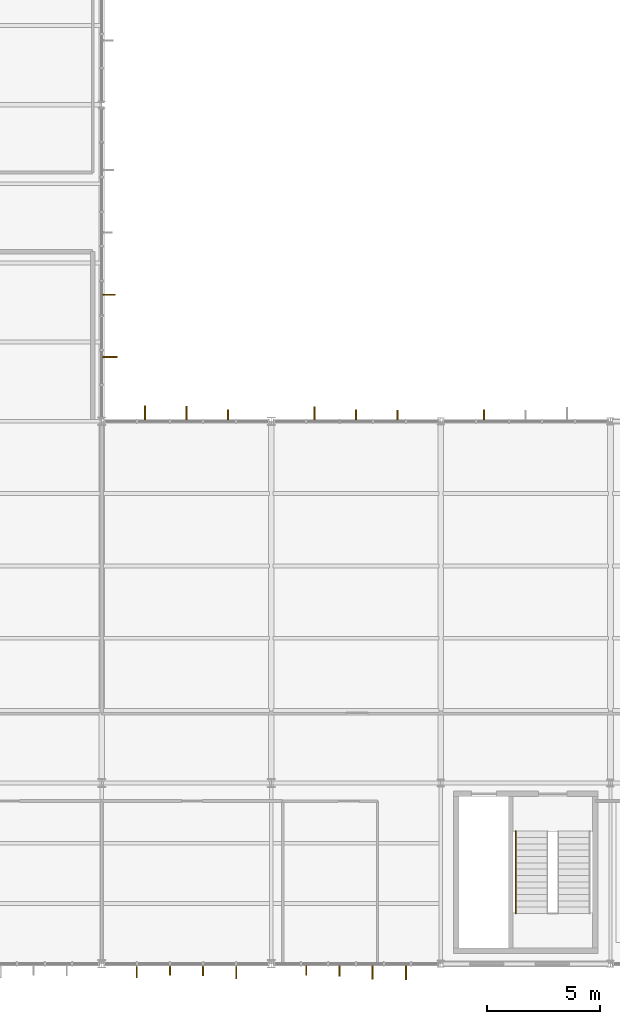
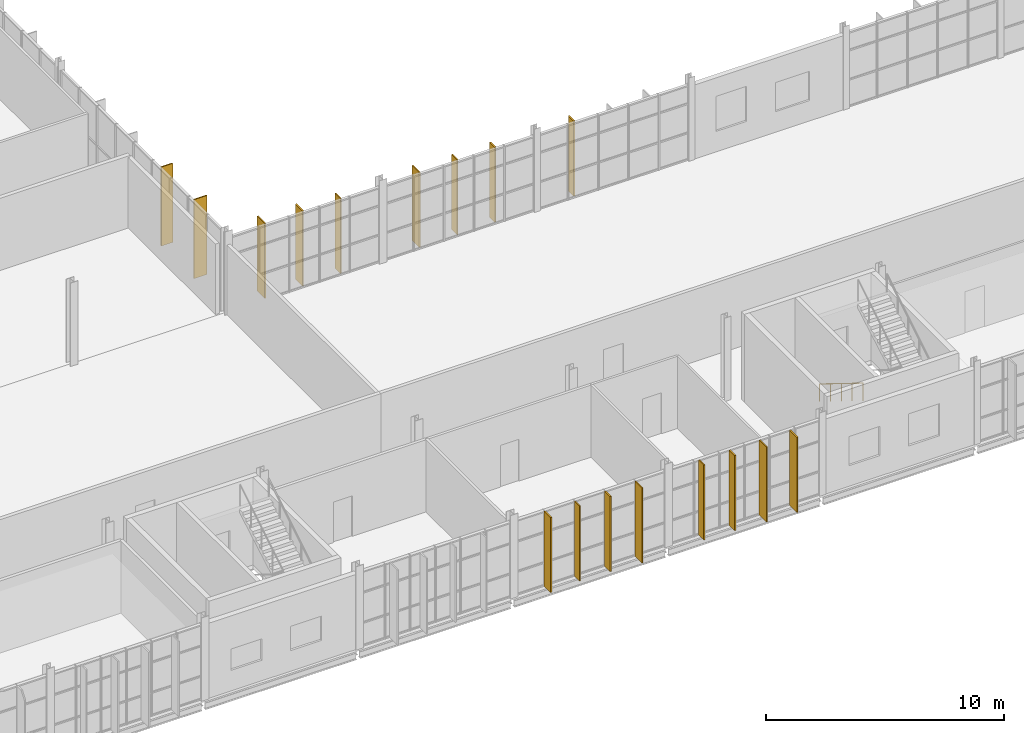
# One storey, part 314 of 324: 17 coverings, 1 railing.
"""IFC4 building model written with IfcOpenShell, lengths in metres."""

from ifc_helpers import new_model, si_unit, direction, frame, origin, origin_2d, place, context, subcontext, project, spatial, rectangle, circle, extrude, material, layer, layer_set, type_object, element, save


model = new_model("IFC4")

# Units and contexts
model_context = context("Model", 3, precision=1e-05, world=origin(), true_north=direction((0.0, 1.0)))
body_context = subcontext(model_context, "Body", "Model", "MODEL_VIEW")
ifc_project = project(units=[si_unit("LENGTHUNIT", "METRE"), si_unit("AREAUNIT", "SQUARE_METRE"), si_unit("VOLUMEUNIT", "CUBIC_METRE"), si_unit("PLANEANGLEUNIT", "RADIAN"), si_unit("MASSUNIT", "GRAM", prefix="KILO")], contexts=[model_context])

# Site, building, storey
site_placement = place(None, origin())
site = spatial("IfcSite", under=ifc_project, at=site_placement, CompositionType="ELEMENT")
building_placement = place(site_placement, origin())
building = spatial("IfcBuilding", under=site, at=building_placement, Name="Solvenia Promenade Tram Depot", CompositionType="ELEMENT")
storey_placement = place(building_placement, frame((0.0, 0.0, 4.5)))
storey = spatial("IfcBuildingStorey", under=building, at=storey_placement, Name="L01", CompositionType="ELEMENT", Elevation=4.5)

# Coverings
ifc_material = material(Name="Anodized aluminium AW-6063 T6", Category="aluminium")
ifc_layer = layer(ifc_material, 0.06005859375, Name="Anodized aluminium AW-6063 T6", Category="aluminium")
ifc_layer_set = layer_set([ifc_layer], Name="Anodized aluminium AW-6063 T6")
covering_type = type_object("IfcCoveringType", Name="Fin-Param-560", PredefinedType="CLADDING", material=ifc_layer_set)
covering_1_placement = place(storey_placement, frame((45.364013671875, 26.8359375, 0.0), z_axis=(0.0, 0.0, 1.0), x_axis=(0.0, 1.0, 0.0)))
element("IfcCovering", 1, at=covering_1_placement, inside=storey, type_object=covering_type, Name="Parametric Vertical Brise-Soleil Fin 241", PredefinedType="CLADDING", context=body_context, shape_type="SweptSolid", body=[
    extrude(rectangle(XDim=0.06005859375, YDim=0.637939453125, at=origin_2d()), origin(), (0.0, 0.0, 1.0), 4.050048828125),
])
covering_2_placement = place(storey_placement, frame((45.325439453125, 29.592041015625, 0.0), z_axis=(0.0, 0.0, 1.0), x_axis=(0.0, 1.0, 0.0)))
element("IfcCovering", 2, at=covering_2_placement, inside=storey, type_object=covering_type, Name="Parametric Vertical Brise-Soleil Fin 242", PredefinedType="CLADDING", context=body_context, shape_type="SweptSolid", body=[
    extrude(rectangle(XDim=0.06005859375, YDim=0.56103515625, at=origin_2d()), origin(), (0.0, 0.0, 1.0), 4.050048828125),
])
covering_3_placement = place(storey_placement, frame((46.548095703125, -0.342529296875, 0.0), z_axis=(0.0, 0.0, 1.0), x_axis=(1.0, 0.0, 0.0)))
element("IfcCovering", 3, at=covering_3_placement, inside=storey, type_object=covering_type, Name="Parametric Vertical Brise-Soleil Fin 330", PredefinedType="CLADDING", context=body_context, shape_type="SweptSolid", body=[
    extrude(rectangle(XDim=0.06005859375, YDim=0.534912109375, at=origin_2d()), origin(), (0.0, 0.0, 1.0), 3.85009765625),
])
covering_4_placement = place(storey_placement, frame((48.01611328125, -0.28857421875, 0.0), z_axis=(0.0, 0.0, 1.0), x_axis=(1.0, 0.0, 0.0)))
element("IfcCovering", 4, at=covering_4_placement, inside=storey, type_object=covering_type, Name="Parametric Vertical Brise-Soleil Fin 331", PredefinedType="CLADDING", context=body_context, shape_type="SweptSolid", body=[
    extrude(rectangle(XDim=0.06005859375, YDim=0.427001953125, at=origin_2d()), origin(), (0.0, 0.0, 1.0), 3.85009765625),
])
covering_5_placement = place(storey_placement, frame((49.48388671875, -0.306396484375, 0.0), z_axis=(0.0, 0.0, 1.0), x_axis=(1.0, 0.0, 0.0)))
element("IfcCovering", 5, at=covering_5_placement, inside=storey, type_object=covering_type, Name="Parametric Vertical Brise-Soleil Fin 332", PredefinedType="CLADDING", context=body_context, shape_type="SweptSolid", body=[
    extrude(rectangle(XDim=0.06005859375, YDim=0.462890625, at=origin_2d()), origin(), (0.0, 0.0, 1.0), 3.85009765625),
])
covering_6_placement = place(storey_placement, frame((50.951904296875, -0.37158203125, 0.0), z_axis=(0.0, 0.0, 1.0), x_axis=(1.0, 0.0, 0.0)))
element("IfcCovering", 6, at=covering_6_placement, inside=storey, type_object=covering_type, Name="Parametric Vertical Brise-Soleil Fin 333", PredefinedType="CLADDING", context=body_context, shape_type="SweptSolid", body=[
    extrude(rectangle(XDim=0.06005859375, YDim=0.593017578125, at=origin_2d()), origin(), (0.0, 0.0, 1.0), 3.85009765625),
])
covering_7_placement = place(storey_placement, frame((54.048095703125, -0.287109375, 0.0), z_axis=(0.0, 0.0, 1.0), x_axis=(1.0, 0.0, 0.0)))
element("IfcCovering", 7, at=covering_7_placement, inside=storey, type_object=covering_type, Name="Parametric Vertical Brise-Soleil Fin 334", PredefinedType="CLADDING", context=body_context, shape_type="SweptSolid", body=[
    extrude(rectangle(XDim=0.06005859375, YDim=0.424072265625, at=origin_2d()), origin(), (0.0, 0.0, 1.0), 3.85009765625),
])
covering_8_placement = place(storey_placement, frame((55.51611328125, -0.31005859375, 0.0), z_axis=(0.0, 0.0, 1.0), x_axis=(1.0, 0.0, 0.0)))
element("IfcCovering", 8, at=covering_8_placement, inside=storey, type_object=covering_type, Name="Parametric Vertical Brise-Soleil Fin 335", PredefinedType="CLADDING", context=body_context, shape_type="SweptSolid", body=[
    extrude(rectangle(XDim=0.06005859375, YDim=0.469970703125, at=origin_2d()), origin(), (0.0, 0.0, 1.0), 3.85009765625),
])
covering_9_placement = place(storey_placement, frame((56.98388671875, -0.375, 0.0), z_axis=(0.0, 0.0, 1.0), x_axis=(1.0, 0.0, 0.0)))
element("IfcCovering", 9, at=covering_9_placement, inside=storey, type_object=covering_type, Name="Parametric Vertical Brise-Soleil Fin 336", PredefinedType="CLADDING", context=body_context, shape_type="SweptSolid", body=[
    extrude(rectangle(XDim=0.06005859375, YDim=0.60009765625, at=origin_2d()), origin(), (0.0, 0.0, 1.0), 3.85009765625),
])
for number, where, z_axis, x_axis, name in (
    (10, (58.451904296875, -0.39111328125, 0.0), (0.0, 0.0, 1.0), (1.0, 0.0, 0.0), "Parametric Vertical Brise-Soleil Fin 337"),
    (11, (46.9150390625, 24.3759765625, 0.0), (0.0, 0.0, 1.0), (1.0, 0.0, 0.0), "Parametric Vertical Brise-Soleil Fin 346"),
):
    element("IfcCovering", number, at=place(storey_placement, frame(where, z_axis=z_axis, x_axis=x_axis)), inside=storey, type_object=covering_type, Name=name, PredefinedType="CLADDING", context=body_context, shape_type="SweptSolid", body=[
        extrude(rectangle(XDim=0.06005859375, YDim=0.632080078125, at=origin_2d()), origin(), (0.0, 0.0, 1.0), 3.85009765625),
    ])
covering_10_placement = place(storey_placement, frame((48.75, 24.3564453125, 0.0), z_axis=(0.0, 0.0, 1.0), x_axis=(1.0, 0.0, 0.0)))
element("IfcCovering", 12, at=covering_10_placement, inside=storey, type_object=covering_type, Name="Parametric Vertical Brise-Soleil Fin 347", PredefinedType="CLADDING", context=body_context, shape_type="SweptSolid", body=[
    extrude(rectangle(XDim=0.06005859375, YDim=0.593017578125, at=origin_2d()), origin(), (0.0, 0.0, 1.0), 3.85009765625),
])
covering_11_placement = place(storey_placement, frame((50.5849609375, 24.2890625, 0.0), z_axis=(0.0, 0.0, 1.0), x_axis=(1.0, 0.0, 0.0)))
element("IfcCovering", 13, at=covering_11_placement, inside=storey, type_object=covering_type, Name="Parametric Vertical Brise-Soleil Fin 348", PredefinedType="CLADDING", context=body_context, shape_type="SweptSolid", body=[
    extrude(rectangle(XDim=0.06005859375, YDim=0.4580078125, at=origin_2d()), origin(), (0.0, 0.0, 1.0), 3.85009765625),
])
covering_12_placement = place(storey_placement, frame((54.4150390625, 24.35546875, 0.0), z_axis=(0.0, 0.0, 1.0), x_axis=(1.0, 0.0, 0.0)))
element("IfcCovering", 14, at=covering_12_placement, inside=storey, type_object=covering_type, Name="Parametric Vertical Brise-Soleil Fin 349", PredefinedType="CLADDING", context=body_context, shape_type="SweptSolid", body=[
    extrude(rectangle(XDim=0.06005859375, YDim=0.591064453125, at=origin_2d()), origin(), (0.0, 0.0, 1.0), 3.85009765625),
])
covering_13_placement = place(storey_placement, frame((56.25, 24.2880859375, 0.0), z_axis=(0.0, 0.0, 1.0), x_axis=(1.0, 0.0, 0.0)))
element("IfcCovering", 15, at=covering_13_placement, inside=storey, type_object=covering_type, Name="Parametric Vertical Brise-Soleil Fin 350", PredefinedType="CLADDING", context=body_context, shape_type="SweptSolid", body=[
    extrude(rectangle(XDim=0.06005859375, YDim=0.4560546875, at=origin_2d()), origin(), (0.0, 0.0, 1.0), 3.85009765625),
])
covering_14_placement = place(storey_placement, frame((58.0849609375, 24.276611328125, 0.0), z_axis=(0.0, 0.0, 1.0), x_axis=(1.0, 0.0, 0.0)))
element("IfcCovering", 16, at=covering_14_placement, inside=storey, type_object=covering_type, Name="Parametric Vertical Brise-Soleil Fin 351", PredefinedType="CLADDING", context=body_context, shape_type="SweptSolid", body=[
    extrude(rectangle(XDim=0.06005859375, YDim=0.43310546875, at=origin_2d()), origin(), (0.0, 0.0, 1.0), 3.85009765625),
])
covering_15_placement = place(storey_placement, frame((61.9150390625, 24.287109375, 0.0), z_axis=(0.0, 0.0, 1.0), x_axis=(1.0, 0.0, 0.0)))
element("IfcCovering", 17, at=covering_15_placement, inside=storey, type_object=covering_type, Name="Parametric Vertical Brise-Soleil Fin 352", PredefinedType="CLADDING", context=body_context, shape_type="SweptSolid", body=[
    extrude(rectangle(XDim=0.06005859375, YDim=0.4541015625, at=origin_2d()), origin(), (0.0, 0.0, 1.0), 3.85009765625),
])

# Railing
railing_type = type_object("IfcRailingType", Name="Handrail-Stair-920", PredefinedType="HANDRAIL", material=ifc_material)
railing_placement = place(storey_placement, frame((63.320068359375, 5.8701171875, 0.0)))
element("IfcRailing", 18, at=railing_placement, inside=storey, type_object=railing_type, Name="Stair Wall Handrail ST-03-L01-F1", PredefinedType="HANDRAIL", context=body_context, shape_type="SweptSolid", body=[
    extrude(circle(Radius=0.02392578125, at=origin_2d()), frame((0.0, 0.0, 0.89599609375), z_axis=(0.0, -0.850622404505, 0.525777067734), x_axis=(1.0, 0.0, 0.0)), (0.0, 0.0, 1.0), 4.279296875),
    extrude(circle(Radius=0.02099609375, at=origin_2d()), origin(), (0.0, 0.0, 1.0), 0.871826171875),
    extrude(circle(Radius=0.02099609375, at=origin_2d()), frame((0.0, -0.91015625, 0.5625)), (0.0, 0.0, 1.0), 0.871826171875),
    extrude(circle(Radius=0.02099609375, at=origin_2d()), frame((0.0, -1.820068359375, 1.125)), (0.0, 0.0, 1.0), 0.871826171875),
    extrude(circle(Radius=0.02099609375, at=origin_2d()), frame((0.0, -2.72998046875, 1.6875)), (0.0, 0.0, 1.0), 0.871826171875),
    extrude(circle(Radius=0.02099609375, at=origin_2d()), frame((0.0, -3.64013671875, 2.25)), (0.0, 0.0, 1.0), 0.871826171875),
])

save(model, "model.ifc")
